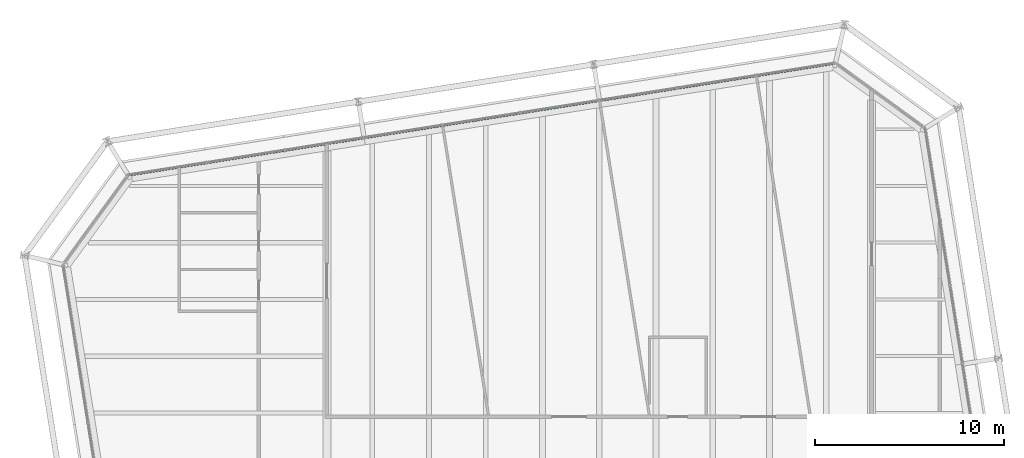
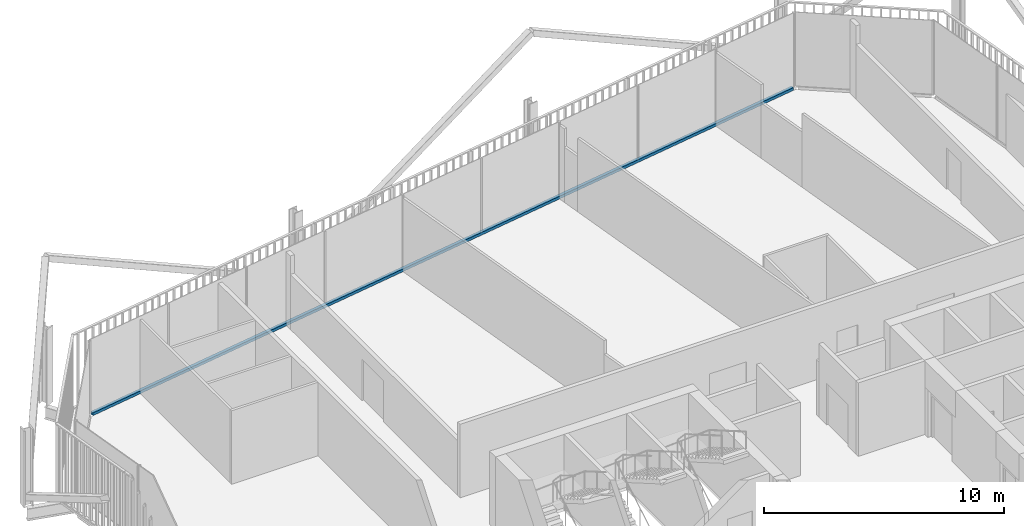
# One storey, part 14 of 21: 1 member, 1 element without a shape of its own.
"""IFC4 building model written with IfcOpenShell, lengths in metres."""

from ifc_helpers import new_model, si_unit, direction, frame, origin, origin_2d, place, context, subcontext, project, spatial, rectangle, extrude, material, layer, layer_set, material_profile, profile_set, type_object, element, aggregate, save


model = new_model("IFC4")

# Units and contexts
model_context = context("Model", 3, precision=1e-05, world=origin(), true_north=direction((0.0, 1.0)))
body_context = subcontext(model_context, "Body", "Model", "MODEL_VIEW")
ifc_project = project(units=[si_unit("LENGTHUNIT", "METRE"), si_unit("AREAUNIT", "SQUARE_METRE"), si_unit("VOLUMEUNIT", "CUBIC_METRE"), si_unit("PLANEANGLEUNIT", "RADIAN"), si_unit("MASSUNIT", "GRAM", prefix="KILO")], contexts=[model_context])

# Site, building, storey
site_placement = place(None, origin())
site = spatial("IfcSite", under=ifc_project, at=site_placement, CompositionType="ELEMENT")
building_placement = place(site_placement, origin())
building = spatial("IfcBuilding", under=site, at=building_placement, Name="Millrace Tower", CompositionType="ELEMENT")
storey_placement = place(building_placement, frame((0.0, 0.0, 247.39990234375)))
storey = spatial("IfcBuildingStorey", under=building, at=storey_placement, Name="L56", CompositionType="ELEMENT", Elevation=247.39990234375)

# Curtain wall, member
ifc_material_1 = material(Name="Aluminium and glass", Category="aluminium")
ifc_layer = layer(ifc_material_1, 0.14990234375)
ifc_layer_set = layer_set([ifc_layer], Name="Aluminium and glass")
curtain_wall_type = type_object("IfcCurtainWallType", Name="CW-1 office vision curtain wall", PredefinedType="NOTDEFINED", material=ifc_layer_set)
curtain_wall_placement = place(storey_placement, origin())
curtain_wall = element("IfcCurtainWall", 1, at=curtain_wall_placement, inside=storey, type_object=curtain_wall_type, Name="Curtain wall D-F06 L56", PredefinedType="NOTDEFINED")
ifc_material_2 = material(Name="Aluminium", Category="aluminium")
ifc_material_profile = material_profile(ifc_material_2, rectangle(XDim=0.14990234375, YDim=0.139892578125, at=origin_2d()))
ifc_profile_set = profile_set([ifc_material_profile], Name="Aluminium")
member_type = type_object("IfcMemberType", Name="CW-1 office vision curtain wall transom", PredefinedType="USERDEFINED", material=ifc_profile_set)
member_placement = place(storey_placement, frame((12.35888671875, 30.48193359375, 0.070068359375), z_axis=(-0.987687829698, -0.156437690685, 0.0), x_axis=(0.156437690685, -0.987687829698, 0.0)))
member = element("IfcMember", 2, at=member_placement, type_object=member_type, Name="CW1 transom D-F06.1", ObjectType="TRANSOM", PredefinedType="USERDEFINED", context=body_context, shape_type="SweptSolid", body=[
    extrude(rectangle(XDim=0.14990234375, YDim=0.139892578125, at=origin_2d()), origin(), (0.0, 0.0, 1.0), 37.60009765625),
])
aggregate(curtain_wall, [member])

save(model, "model.ifc")
